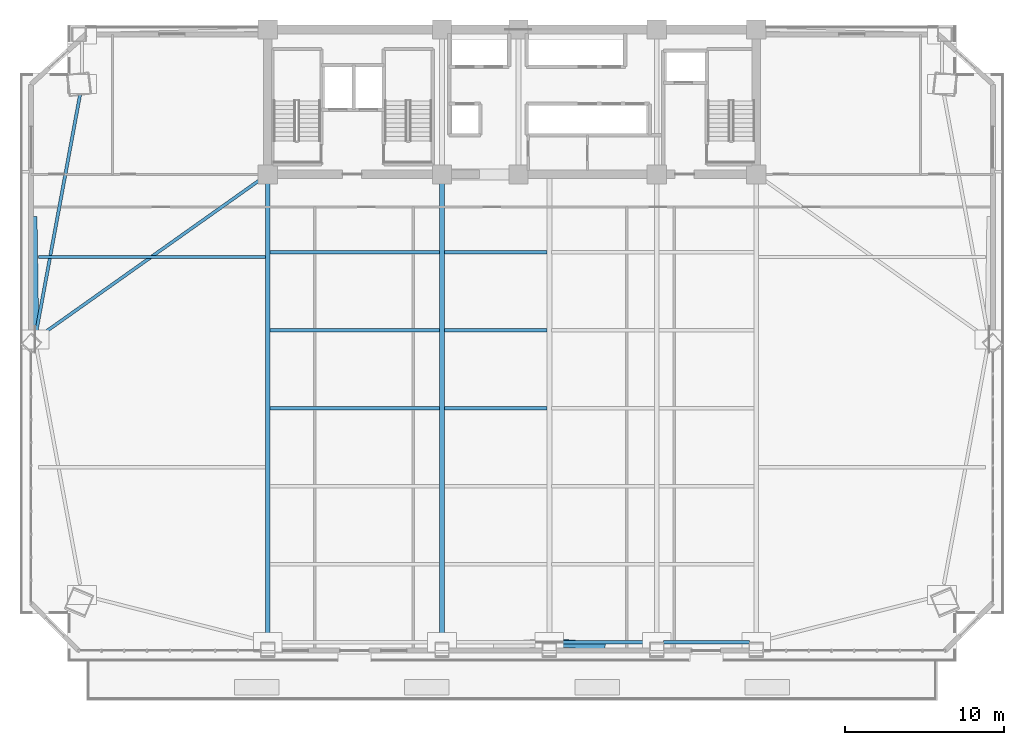
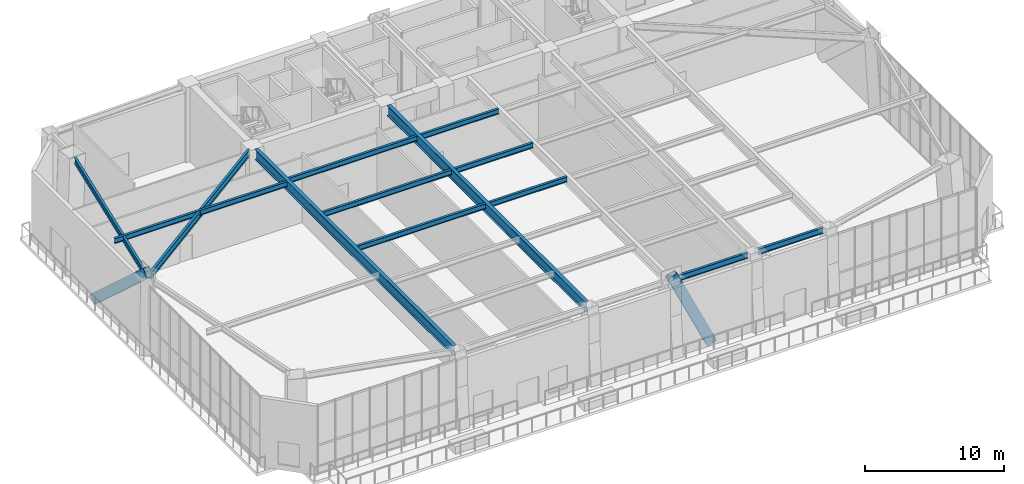
# One storey, part 6 of 22: 13 beams, 2 members.
"""IFC4 building model written with IfcOpenShell, lengths in metres."""

from ifc_helpers import new_model, si_unit, direction, frame, origin, origin_2d, place, context, subcontext, project, spatial, hollow_rectangle, i_section, extrude, source, transform, mapped, material, material_profile, profile_set, type_object, element, save


model = new_model("IFC4")

# Units and contexts
model_context = context("Model", 3, precision=1e-05, world=origin(), true_north=direction((0.0, 1.0)))
body_context = subcontext(model_context, "Body", "Model", "MODEL_VIEW")
ifc_project = project(units=[si_unit("LENGTHUNIT", "METRE"), si_unit("AREAUNIT", "SQUARE_METRE"), si_unit("VOLUMEUNIT", "CUBIC_METRE"), si_unit("PLANEANGLEUNIT", "RADIAN"), si_unit("MASSUNIT", "GRAM", prefix="KILO")], contexts=[model_context])

# Site, building, storey
site_placement = place(None, origin())
site = spatial("IfcSite", under=ifc_project, at=site_placement, CompositionType="ELEMENT")
building_placement = place(site_placement, origin())
building = spatial("IfcBuilding", under=site, at=building_placement, Name="Giltprow Tower", CompositionType="ELEMENT")
storey_placement = place(building_placement, frame((0.0, 0.0, 130.89990234375)))
storey = spatial("IfcBuildingStorey", under=building, at=storey_placement, Name="L32", CompositionType="ELEMENT", Elevation=130.89990234375)

# Beams
ifc_material_1 = material(Name="Structural steel Q355B", Category="steel")
ifc_material_profile_1 = material_profile(ifc_material_1, i_section(OverallWidth=0.199951171875, OverallDepth=0.449951171875, WebThickness=0.009033203125, FlangeThickness=0.013916015625, at=origin_2d()), Name="HN 450x200x9x14")
ifc_profile_set_1 = profile_set([ifc_material_profile_1], Name="Structural steel Q355B")
beam_type_1 = type_object("IfcBeamType", Name="BM-JOIST-HN450", PredefinedType="JOIST", material=ifc_profile_set_1)
shared_shape_1 = source(origin(), body_context, "Body", "SweptSolid", [
    extrude(i_section(OverallWidth=0.199951171875, OverallDepth=0.449951171875, WebThickness=0.009033203125, FlangeThickness=0.013916015625, at=origin_2d()), origin(), (0.0, 0.0, 1.0), 10.659912109375),
])
for number, where, z_axis, x_axis, name in (
    (1, (19.9951171875, 22.748046875, 6.34521484375), (1.0, 0.0, 0.0), (0.0, 1.0, 0.0), "L32 Composite Floor Joist 3-1"),
    (2, (19.9951171875, 27.64794921875, 6.34521484375), (1.0, 0.0, 0.0), (0.0, 1.0, 0.0), "L32 Composite Floor Joist 4-1"),
    (3, (19.9951171875, 32.549072265625, 6.34521484375), (1.0, 0.0, 0.0), (0.0, 1.0, 0.0), "L32 Composite Floor Joist 5-1"),
):
    element("IfcBeam", number, at=place(storey_placement, frame(where, z_axis=z_axis, x_axis=x_axis)), inside=storey, type_object=beam_type_1, Name=name, PredefinedType="JOIST", context=body_context, shape_type="MappedRepresentation", body=[
        mapped(shared_shape_1, transform((0.0, 0.0, 0.0), x_axis=(1.0, 0.0, 0.0), y_axis=(0.0, 1.0, 0.0), z_axis=(0.0, 0.0, 1.0), scale=1.0)),
    ])
shared_shape_2 = source(origin(), body_context, "Body", "SweptSolid", [
    extrude(i_section(OverallWidth=0.199951171875, OverallDepth=0.449951171875, WebThickness=0.009033203125, FlangeThickness=0.013916015625, at=origin_2d()), origin(), (0.0, 0.0, 1.0), 6.4599609375),
])
for number, where, z_axis, x_axis, name in (
    (4, (30.945068359375, 22.748046875, 6.34521484375), (1.0, 0.0, 0.0), (0.0, 1.0, 0.0), "L32 Composite Floor Joist 3-2"),
    (5, (30.945068359375, 27.64794921875, 6.34521484375), (1.0, 0.0, 0.0), (0.0, 1.0, 0.0), "L32 Composite Floor Joist 4-2"),
    (6, (30.945068359375, 32.549072265625, 6.34521484375), (1.0, 0.0, 0.0), (0.0, 1.0, 0.0), "L32 Composite Floor Joist 5-2"),
):
    element("IfcBeam", number, at=place(storey_placement, frame(where, z_axis=z_axis, x_axis=x_axis)), inside=storey, type_object=beam_type_1, Name=name, PredefinedType="JOIST", context=body_context, shape_type="MappedRepresentation", body=[
        mapped(shared_shape_2, transform((0.0, 0.0, 0.0), x_axis=(1.0, 0.0, 0.0), y_axis=(0.0, 1.0, 0.0), z_axis=(0.0, 0.0, 1.0), scale=1.0)),
    ])
ifc_material_profile_2 = material_profile(ifc_material_1, i_section(OverallWidth=0.199951171875, OverallDepth=0.5, WebThickness=0.010009765625, FlangeThickness=0.01611328125, at=origin_2d()), Name="HN 500x200x10x16")
ifc_profile_set_2 = profile_set([ifc_material_profile_2], Name="Structural steel Q355B")
beam_type_2 = type_object("IfcBeamType", Name="BM-SPAN-HN500", PredefinedType="SPANDREL", material=ifc_profile_set_2)
shared_shape_3 = source(origin(), body_context, "Body", "SweptSolid", [
    extrude(i_section(OverallWidth=0.199951171875, OverallDepth=0.5, WebThickness=0.010009765625, FlangeThickness=0.01611328125, at=origin_2d()), origin(), (0.0, 0.0, 1.0), 5.8798828125),
])
beam_1_placement = place(storey_placement, frame((37.985107421875, 8.044921875, 6.320068359375), z_axis=(1.0, 0.0, 0.0), x_axis=(0.0, 1.0, 0.0)))
element("IfcBeam", 7, at=beam_1_placement, inside=storey, type_object=beam_type_2, Name="L32 Perimeter Spandrel Beam S_MID-S3", PredefinedType="SPANDREL", context=body_context, shape_type="MappedRepresentation", body=[
    mapped(shared_shape_3, transform((0.0, 0.0, 0.0), x_axis=(1.0, 0.0, 0.0), y_axis=(0.0, 1.0, 0.0), z_axis=(0.0, 0.0, 1.0), scale=1.0)),
])
shared_shape_4 = source(origin(), body_context, "Body", "SweptSolid", [
    extrude(i_section(OverallWidth=0.199951171875, OverallDepth=0.5, WebThickness=0.010009765625, FlangeThickness=0.01611328125, at=origin_2d()), origin(), (0.0, 0.0, 1.0), 5.3798828125),
])
beam_2_placement = place(storey_placement, frame((44.735107421875, 8.044921875, 6.320068359375), z_axis=(1.0, 0.0, 0.0), x_axis=(0.0, 1.0, 0.0)))
element("IfcBeam", 8, at=beam_2_placement, inside=storey, type_object=beam_type_2, Name="L32 Perimeter Spandrel Beam S3-S4", PredefinedType="SPANDREL", context=body_context, shape_type="MappedRepresentation", body=[
    mapped(shared_shape_4, transform((0.0, 0.0, 0.0), x_axis=(1.0, 0.0, 0.0), y_axis=(0.0, 1.0, 0.0), z_axis=(0.0, 0.0, 1.0), scale=1.0)),
])
shared_shape_5 = source(origin(), body_context, "Body", "SweptSolid", [
    extrude(i_section(OverallWidth=0.199951171875, OverallDepth=0.5, WebThickness=0.010009765625, FlangeThickness=0.01611328125, at=origin_2d()), origin(), (0.0, 0.0, 1.0), 15.212890625),
])
beam_3_placement = place(storey_placement, frame((8.054931640625, 42.4599609375, 6.320068359375), z_axis=(-0.181555358549, -0.983380725753, 0.0), x_axis=(0.983380725753, -0.181555358549, 0.0)))
element("IfcBeam", 9, at=beam_3_placement, inside=storey, type_object=beam_type_2, Name="L32 Perimeter Spandrel Beam MC_NW-W_MID", PredefinedType="SPANDREL", context=body_context, shape_type="MappedRepresentation", body=[
    mapped(shared_shape_5, transform((0.0, 0.0, 0.0), x_axis=(1.0, 0.0, 0.0), y_axis=(0.0, 1.0, 0.0), z_axis=(0.0, 0.0, 1.0), scale=1.0)),
])
ifc_material_profile_3 = material_profile(ifc_material_1, i_section(OverallWidth=0.300048828125, OverallDepth=0.89990234375, WebThickness=0.01611328125, FlangeThickness=0.028076171875, at=origin_2d()), Name="HN 900x300x16x28")
ifc_profile_set_3 = profile_set([ifc_material_profile_3], Name="Structural steel Q355B")
beam_type_3 = type_object("IfcBeamType", Name="BM-GIRD-HN900", PredefinedType="BEAM", material=ifc_profile_set_3)
shared_shape_6 = source(origin(), body_context, "Body", "SweptSolid", [
    extrude(i_section(OverallWidth=0.300048828125, OverallDepth=0.89990234375, WebThickness=0.01611328125, FlangeThickness=0.028076171875, at=origin_2d()), origin(), (0.0, 0.0, 1.0), 28.385009765625),
])
for number, where, z_axis, x_axis, name in (
    (10, (19.85009765625, 8.47998046875, 6.1201171875), (0.0, 1.0, 0.0), (-1.0, 0.0, 0.0), "L32 Primary Lease Girder S1"),
    (11, (30.800048828125, 8.47998046875, 6.1201171875), (0.0, 1.0, 0.0), (-1.0, 0.0, 0.0), "L32 Primary Lease Girder S2"),
):
    element("IfcBeam", number, at=place(storey_placement, frame(where, z_axis=z_axis, x_axis=x_axis)), inside=storey, type_object=beam_type_3, Name=name, PredefinedType="BEAM", context=body_context, shape_type="MappedRepresentation", body=[
        mapped(shared_shape_6, transform((0.0, 0.0, 0.0), x_axis=(1.0, 0.0, 0.0), y_axis=(0.0, 1.0, 0.0), z_axis=(0.0, 0.0, 1.0), scale=1.0)),
    ])
ifc_material_profile_4 = material_profile(ifc_material_1, i_section(OverallWidth=0.199951171875, OverallDepth=0.60009765625, WebThickness=0.010986328125, FlangeThickness=0.01708984375, at=origin_2d()), Name="HN 600x200x11x17")
ifc_profile_set_4 = profile_set([ifc_material_profile_4], Name="Structural steel Q355B")
beam_type_4 = type_object("IfcBeamType", Name="BM-GIRD-HN600", PredefinedType="BEAM", material=ifc_profile_set_4)
shared_shape_7 = source(origin(), body_context, "Body", "SweptSolid", [
    extrude(i_section(OverallWidth=0.199951171875, OverallDepth=0.60009765625, WebThickness=0.010986328125, FlangeThickness=0.01708984375, at=origin_2d()), origin(), (0.0, 0.0, 1.0), 16.922119140625),
])
beam_4_placement = place(storey_placement, frame((5.569091796875, 27.323974609375, 6.27001953125), z_axis=(0.815737718153, 0.578421969831, 0.0), x_axis=(-0.578421969831, 0.815737718153, 0.0)))
element("IfcBeam", 12, at=beam_4_placement, inside=storey, type_object=beam_type_4, Name="L32 West Wing Primary Girder", PredefinedType="BEAM", context=body_context, shape_type="MappedRepresentation", body=[
    mapped(shared_shape_7, transform((0.0, 0.0, 0.0), x_axis=(1.0, 0.0, 0.0), y_axis=(0.0, 1.0, 0.0), z_axis=(0.0, 0.0, 1.0), scale=1.0)),
])
shared_shape_8 = source(origin(), body_context, "Body", "SweptSolid", [
    extrude(i_section(OverallWidth=0.199951171875, OverallDepth=0.449951171875, WebThickness=0.009033203125, FlangeThickness=0.013916015625, at=origin_2d()), origin(), (0.0, 0.0, 1.0), 14.27099609375),
])
beam_5_placement = place(storey_placement, frame((5.43408203125, 32.260986328125, 6.34521484375), z_axis=(1.0, 0.0, 0.0), x_axis=(0.0, 1.0, 0.0)))
element("IfcBeam", 13, at=beam_5_placement, inside=storey, type_object=beam_type_1, Name="L32 West Wing Floor Joist 2", PredefinedType="JOIST", context=body_context, shape_type="MappedRepresentation", body=[
    mapped(shared_shape_8, transform((0.0, 0.0, 0.0), x_axis=(1.0, 0.0, 0.0), y_axis=(0.0, 1.0, 0.0), z_axis=(0.0, 0.0, 1.0), scale=1.0)),
])

# Members
ifc_material_2 = material(Name="Structural steel Q420GJC", Category="steel")
ifc_material_profile_5 = material_profile(ifc_material_2, hollow_rectangle(XDim=0.5, YDim=0.800048828125, WallThickness=0.035888671875, at=origin_2d()), Name="RHS 800x500x36")
ifc_profile_set_5 = profile_set([ifc_material_profile_5], Name="Structural steel Q420GJC")
member_type = type_object("IfcMemberType", Name="MBR-MEGA-RHS800", PredefinedType="BRACE", material=ifc_profile_set_5)
shared_shape_9 = source(origin(), body_context, "Body", "SweptSolid", [
    extrude(hollow_rectangle(XDim=0.5, YDim=0.800048828125, WallThickness=0.035888671875, at=origin_2d()), origin(), (0.0, 0.0, 1.0), 7.49560546875),
])
member_1_placement = place(storey_placement, frame((40.694091796875, 7.800048828125, 0.0), z_axis=(-0.419445783995, 0.032668436197, 0.907192376271), x_axis=(-0.077649608112, -0.996980711127, 0.0)))
element("IfcMember", 14, at=member_1_placement, inside=storey, type_object=member_type, Name="L32 Chevron Mega-Brace S-R", PredefinedType="BRACE", context=body_context, shape_type="MappedRepresentation", body=[
    mapped(shared_shape_9, transform((0.0, 0.0, 0.0), x_axis=(1.0, 0.0, 0.0), y_axis=(0.0, 1.0, 0.0), z_axis=(0.0, 0.0, 1.0), scale=1.0)),
])
shared_shape_10 = source(origin(), body_context, "Body", "SweptSolid", [
    extrude(hollow_rectangle(XDim=0.5, YDim=0.800048828125, WallThickness=0.035888671875, at=origin_2d()), origin(), (0.0, 0.0, 1.0), 10.101318359375),
])
member_2_placement = place(storey_placement, frame((5.10498046875, 34.541015625, 0.0), z_axis=(0.01080352932, -0.739401280747, 0.6731783046), x_axis=(0.999893273716, 0.014609626168, 0.0)))
element("IfcMember", 15, at=member_2_placement, inside=storey, type_object=member_type, Name="L32 Chevron Mega-Brace W-R", PredefinedType="BRACE", context=body_context, shape_type="MappedRepresentation", body=[
    mapped(shared_shape_10, transform((0.0, 0.0, 0.0), x_axis=(1.0, 0.0, 0.0), y_axis=(0.0, 1.0, 0.0), z_axis=(0.0, 0.0, 1.0), scale=1.0)),
])

save(model, "model.ifc")
